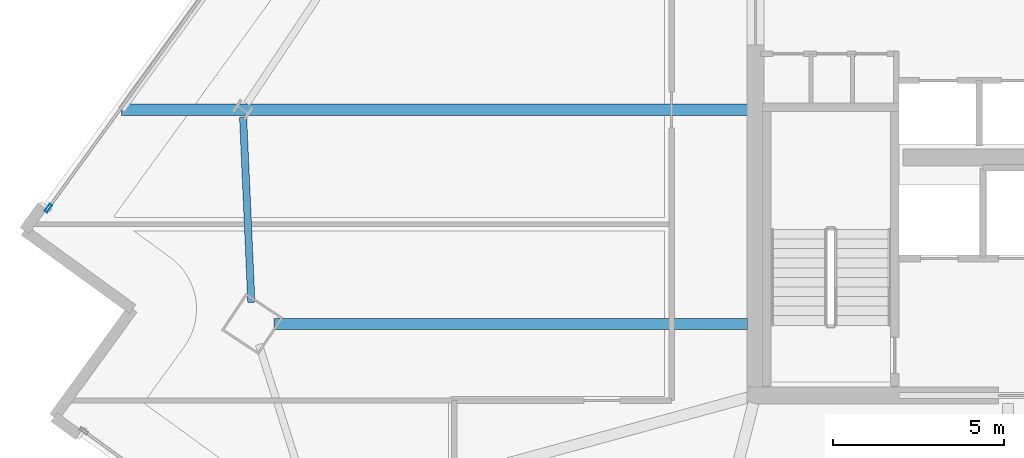
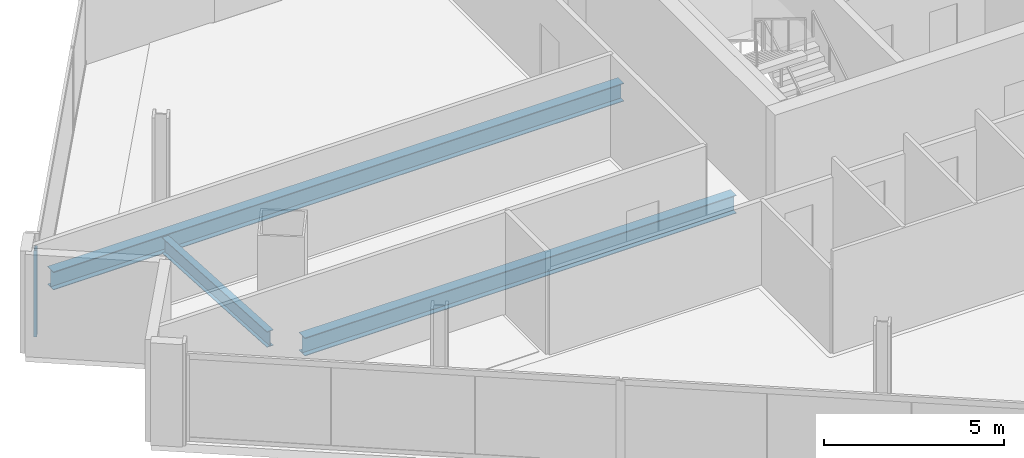
# One storey, part 6 of 29: 3 beams, 1 member, 1 element without a shape of its own.
"""IFC4 building model written with IfcOpenShell, lengths in metres."""

from ifc_helpers import new_model, si_unit, direction, frame, origin, origin_2d, place, context, subcontext, project, spatial, hollow_rectangle, i_section, extrude, material, material_profile, profile_set, type_object, element, aggregate, save


model = new_model("IFC4")

# Units and contexts
model_context = context("Model", 3, precision=1e-05, world=origin(), true_north=direction((0.0, 1.0)))
body_context = subcontext(model_context, "Body", "Model", "MODEL_VIEW")
ifc_project = project(units=[si_unit("LENGTHUNIT", "METRE"), si_unit("AREAUNIT", "SQUARE_METRE"), si_unit("VOLUMEUNIT", "CUBIC_METRE"), si_unit("PLANEANGLEUNIT", "RADIAN"), si_unit("MASSUNIT", "GRAM", prefix="KILO")], contexts=[model_context])

# Site, building, storey
site_placement = place(None, origin())
site = spatial("IfcSite", under=ifc_project, at=site_placement, CompositionType="ELEMENT")
building_placement = place(site_placement, origin())
building = spatial("IfcBuilding", under=site, at=building_placement, Name="Haldenkirk Collegiate Tower", CompositionType="ELEMENT")
storey_placement = place(building_placement, frame((0.0, 0.0, 209.699951171875)))
storey = spatial("IfcBuildingStorey", under=building, at=storey_placement, Name="L52", CompositionType="ELEMENT", Elevation=209.699951171875)

# Beams
ifc_material_1 = material(Name="Steel ASTM A992 Grade 50", Category="steel")
ifc_material_profile_1 = material_profile(ifc_material_1, i_section(OverallWidth=0.324951171875, OverallDepth=0.615966796875, WebThickness=0.013916015625, FlangeThickness=0.021484375, at=origin_2d()), Name="W24X117")
ifc_profile_set_1 = profile_set([ifc_material_profile_1], Name="Steel ASTM A992 Grade 50")
beam_type_1 = type_object("IfcBeamType", Name="BM-GIRDER-W24X117", PredefinedType="BEAM", material=ifc_profile_set_1)
beam_1_placement = place(storey_placement, frame((12.9345703125, 20.089599609375, -0.587890625), z_axis=(1.0, 0.0, 0.0), x_axis=(0.0, 1.0, 0.0)))
element("IfcBeam", 1, at=beam_1_placement, inside=storey, type_object=beam_type_1, Name="L52 primary floor girder 04", PredefinedType="BEAM", context=body_context, shape_type="SweptSolid", body=[
    extrude(i_section(OverallWidth=0.324951171875, OverallDepth=0.615966796875, WebThickness=0.013916015625, FlangeThickness=0.021484375, at=origin_2d()), origin(), (0.0, 0.0, 1.0), 13.83544921875),
])
beam_2_placement = place(storey_placement, frame((8.482421875, 26.34716796875, -0.587890625), z_axis=(1.0, 0.0, 0.0), x_axis=(0.0, 1.0, 0.0)))
element("IfcBeam", 2, at=beam_2_placement, inside=storey, type_object=beam_type_1, Name="L52 primary floor girder 13", PredefinedType="BEAM", context=body_context, shape_type="SweptSolid", body=[
    extrude(i_section(OverallWidth=0.324951171875, OverallDepth=0.615966796875, WebThickness=0.013916015625, FlangeThickness=0.021484375, at=origin_2d()), origin(), (0.0, 0.0, 1.0), 18.28759765625),
])
ifc_material_profile_2 = material_profile(ifc_material_1, i_section(OverallWidth=0.2099609375, OverallDepth=0.537109375, WebThickness=0.010986328125, FlangeThickness=0.017333984375, at=origin_2d()), Name="W21X68")
ifc_profile_set_2 = profile_set([ifc_material_profile_2], Name="Steel ASTM A992 Grade 50")
beam_type_2 = type_object("IfcBeamType", Name="BM-SPANDREL-W21X68", PredefinedType="SPANDREL", material=ifc_profile_set_2)
beam_3_placement = place(storey_placement, frame((12.034912109375, 26.13037109375, -0.54833984375), z_axis=(0.044620526426, -0.999004008311, 0.0), x_axis=(0.999004008311, 0.044620526426, 0.0)))
element("IfcBeam", 3, at=beam_3_placement, inside=storey, type_object=beam_type_2, Name="L52 perimeter spandrel beam 12", PredefinedType="SPANDREL", context=body_context, shape_type="SweptSolid", body=[
    extrude(i_section(OverallWidth=0.2099609375, OverallDepth=0.537109375, WebThickness=0.010986328125, FlangeThickness=0.017333984375, at=origin_2d()), origin(), (0.0, 0.0, 1.0), 5.416748046875),
])

# Curtain wall, member
ifc_material_2 = material(Name="Anodised architectural bronze aluminium", Category="aluminium")
curtain_wall_type = type_object("IfcCurtainWallType", Name="CW-SYS1B-CONVEX-HI", PredefinedType="USERDEFINED", material=ifc_material_2)
curtain_wall_placement = place(storey_placement, origin())
curtain_wall = element("IfcCurtainWall", 4, at=curtain_wall_placement, inside=storey, type_object=curtain_wall_type, Name="L52 Upper tower high-wind convex bronze unitised curtain wall", ObjectType="UNITISED CURTAIN WALL", PredefinedType="USERDEFINED")
ifc_material_profile_3 = material_profile(ifc_material_2, hollow_rectangle(XDim=0.0849609375, YDim=0.25, WallThickness=0.0048828125, at=origin_2d()), Name="CW-MUL-1B")
ifc_profile_set_3 = profile_set([ifc_material_profile_3], Name="Anodised architectural bronze aluminium")
member_type = type_object("IfcMemberType", Name="CW-MUL-1B", PredefinedType="MULLION", material=ifc_profile_set_3)
member_placement = place(storey_placement, frame((6.346435546875, 23.4697265625, 0.0), z_axis=(0.0, 0.0, 1.0), x_axis=(-0.809530136463, 0.5870783237, 0.0)))
member = element("IfcMember", 5, at=member_placement, type_object=member_type, Name="CW-1B mullion 1", PredefinedType="MULLION", context=body_context, shape_type="SweptSolid", body=[
    extrude(hollow_rectangle(XDim=0.0849609375, YDim=0.25, WallThickness=0.0048828125, at=origin_2d()), origin(), (0.0, 0.0, 1.0), 2.927978515625),
])
aggregate(curtain_wall, [member])

save(model, "model.ifc")
